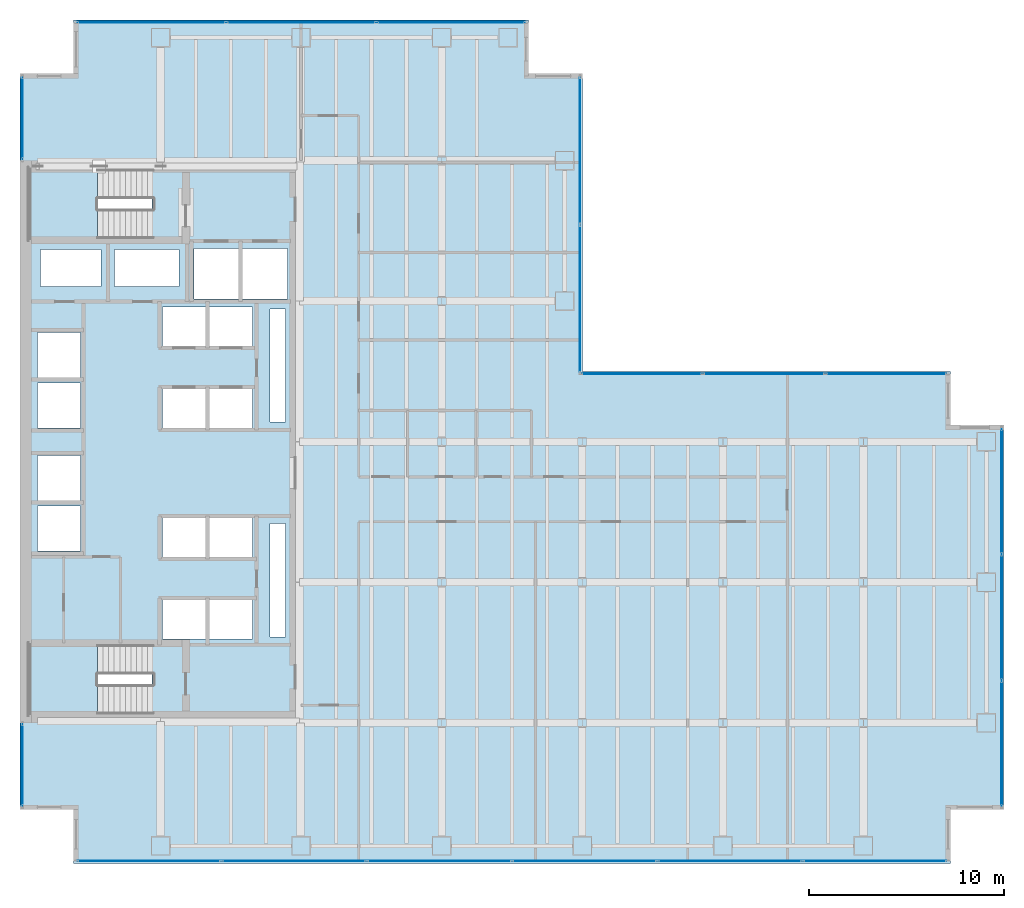
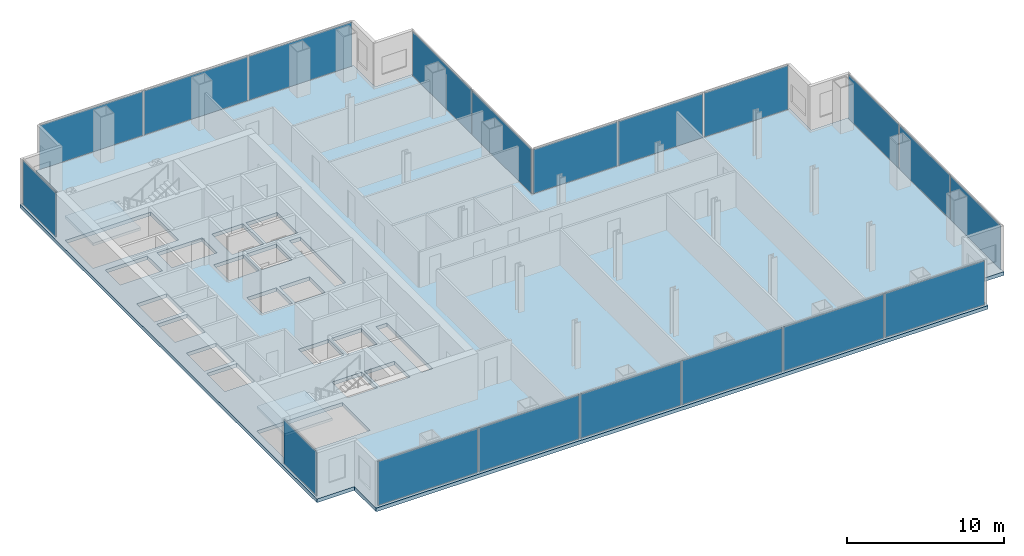
# One storey, part 19 of 23: 19 plates, 3 slabs, 20 openings, 9 elements without a shape of their own.
"""IFC4 building model written with IfcOpenShell, lengths in metres."""

from ifc_helpers import new_model, si_unit, direction, frame, origin, origin_2d, place, context, subcontext, project, spatial, polyline, rectangle, outline, extrude, material, layer, layer_set, type_object, element, aggregate, save


model = new_model("IFC4")

# Units and contexts
model_context = context("Model", 3, precision=1e-05, world=origin(), true_north=direction((0.0, 1.0)))
body_context = subcontext(model_context, "Body", "Model", "MODEL_VIEW")
ifc_project = project(units=[si_unit("LENGTHUNIT", "METRE"), si_unit("AREAUNIT", "SQUARE_METRE"), si_unit("VOLUMEUNIT", "CUBIC_METRE"), si_unit("PLANEANGLEUNIT", "RADIAN"), si_unit("MASSUNIT", "GRAM", prefix="KILO")], contexts=[model_context])

# Site, building, storey
site_placement = place(None, origin())
site = spatial("IfcSite", under=ifc_project, at=site_placement, CompositionType="ELEMENT")
building_placement = place(site_placement, origin())
building = spatial("IfcBuilding", under=site, at=building_placement, Name="Cobrela Telecom Tower", CompositionType="ELEMENT")
storey_placement = place(building_placement, frame((0.0, 0.0, 73.5)))
storey = spatial("IfcBuildingStorey", under=building, at=storey_placement, Name="L18", CompositionType="ELEMENT", Elevation=73.5)

# Curtain wall, plate
ifc_material_1 = material(Name="Anodized Bronze Aluminium 6063-T6", Category="aluminium")
curtain_wall_type = type_object("IfcCurtainWallType", Name="CW-SYS-DATA", PredefinedType="USERDEFINED", material=ifc_material_1)
curtain_wall_1_placement = place(storey_placement, origin())
curtain_wall_1 = element("IfcCurtainWall", 1, at=curtain_wall_1_placement, inside=storey, type_object=curtain_wall_type, Name="L18 Unitised Bronze Curtain Wall 03", ObjectType="UNITISED CURTAIN WALL", PredefinedType="USERDEFINED")
ifc_material_2 = material(Name="Solar-Control Bronze Low-E Glass", Category="glass")
ifc_layer_1 = layer(ifc_material_2, 0.0380859375)
ifc_layer_set_1 = layer_set([ifc_layer_1], Name="Solar-Control Bronze Low-E Glass")
plate_type = type_object("IfcPlateType", Name="CW-SYS-DATA-PNL", PredefinedType="CURTAIN_PANEL", material=ifc_layer_set_1)
plate_1_placement = place(storey_placement, frame((0.1201171875, 5.034912109375, 0.074951171875), z_axis=(0.0, 0.0, 1.0), x_axis=(0.0, 1.0, 0.0)))
plate_1 = element("IfcPlate", 2, at=plate_1_placement, type_object=plate_type, Name="CW-DATA panel 1.1", PredefinedType="CURTAIN_PANEL", context=body_context, shape_type="SweptSolid", body=[
    extrude(rectangle(XDim=4.169921875, YDim=0.0380859375, at=origin_2d()), origin(), (0.0, 0.0, 1.0), 3.419921875),
])
aggregate(curtain_wall_1, [plate_1])

curtain_wall_2_placement = place(storey_placement, origin())
curtain_wall_2 = element("IfcCurtainWall", 3, at=curtain_wall_2_placement, inside=storey, type_object=curtain_wall_type, Name="L18 Unitised Bronze Curtain Wall 04", ObjectType="UNITISED CURTAIN WALL", PredefinedType="USERDEFINED")
plate_2_placement = place(storey_placement, frame((0.1201171875, 38.1650390625, 0.074951171875), z_axis=(0.0, 0.0, 1.0), x_axis=(0.0, 1.0, 0.0)))
plate_2 = element("IfcPlate", 4, at=plate_2_placement, type_object=plate_type, Name="CW-DATA panel 1.1", PredefinedType="CURTAIN_PANEL", context=body_context, shape_type="SweptSolid", body=[
    extrude(rectangle(XDim=4.169921875, YDim=0.0380859375, at=origin_2d()), origin(), (0.0, 0.0, 1.0), 3.419921875),
])
aggregate(curtain_wall_2, [plate_2])

# Curtain wall, plates
curtain_wall_3_placement = place(storey_placement, origin())
curtain_wall_3 = element("IfcCurtainWall", 5, at=curtain_wall_3_placement, inside=storey, type_object=curtain_wall_type, Name="L18 Unitised Bronze Curtain Wall 07", ObjectType="UNITISED CURTAIN WALL", PredefinedType="USERDEFINED")
plate_3_placement = place(storey_placement, frame((6.7333984375, 43.080078125, 0.074951171875), z_axis=(0.0, 0.0, 1.0), x_axis=(1.0, 0.0, 0.0)))
plate_3 = element("IfcPlate", 6, at=plate_3_placement, type_object=plate_type, Name="CW-DATA panel 1.1", PredefinedType="CURTAIN_PANEL", context=body_context, shape_type="SweptSolid", body=[
    extrude(rectangle(XDim=7.566650390625, YDim=0.0380859375, at=origin_2d()), origin(), (0.0, 0.0, 1.0), 3.419921875),
])
plate_4_placement = place(storey_placement, frame((14.39990234375, 43.080078125, 0.074951171875), z_axis=(0.0, 0.0, 1.0), x_axis=(1.0, 0.0, 0.0)))
plate_4 = element("IfcPlate", 7, at=plate_4_placement, type_object=plate_type, Name="CW-DATA panel 2.1", PredefinedType="CURTAIN_PANEL", context=body_context, shape_type="SweptSolid", body=[
    extrude(rectangle(XDim=7.606689453125, YDim=0.0380859375, at=origin_2d()), origin(), (0.0, 0.0, 1.0), 3.419921875),
])
plate_5_placement = place(storey_placement, frame((22.066650390625, 43.080078125, 0.074951171875), z_axis=(0.0, 0.0, 1.0), x_axis=(1.0, 0.0, 0.0)))
plate_5 = element("IfcPlate", 8, at=plate_5_placement, type_object=plate_type, Name="CW-DATA panel 3.1", PredefinedType="CURTAIN_PANEL", context=body_context, shape_type="SweptSolid", body=[
    extrude(rectangle(XDim=7.566650390625, YDim=0.0380859375, at=origin_2d()), origin(), (0.0, 0.0, 1.0), 3.419921875),
])
aggregate(curtain_wall_3, [plate_3, plate_4, plate_5])

curtain_wall_4_placement = place(storey_placement, origin())
curtain_wall_4 = element("IfcCurtainWall", 9, at=curtain_wall_4_placement, inside=storey, type_object=curtain_wall_type, Name="L18 Unitised Bronze Curtain Wall 10", ObjectType="UNITISED CURTAIN WALL", PredefinedType="USERDEFINED")
plate_6_placement = place(storey_placement, frame((28.679931640625, 36.49755859375, 0.074951171875), z_axis=(0.0, 0.0, 1.0), x_axis=(0.0, -1.0, 0.0)))
plate_6 = element("IfcPlate", 10, at=plate_6_placement, type_object=plate_type, Name="CW-DATA panel 1.1", PredefinedType="CURTAIN_PANEL", context=body_context, shape_type="SweptSolid", body=[
    extrude(rectangle(XDim=7.5048828125, YDim=0.0380859375, at=origin_2d()), origin(), (0.0, 0.0, 1.0), 3.419921875),
])
plate_7_placement = place(storey_placement, frame((28.679931640625, 28.91259765625, 0.074951171875), z_axis=(0.0, 0.0, 1.0), x_axis=(0.0, -1.0, 0.0)))
plate_7 = element("IfcPlate", 11, at=plate_7_placement, type_object=plate_type, Name="CW-DATA panel 2.1", PredefinedType="CURTAIN_PANEL", context=body_context, shape_type="SweptSolid", body=[
    extrude(rectangle(XDim=7.5048828125, YDim=0.0380859375, at=origin_2d()), origin(), (0.0, 0.0, 1.0), 3.419921875),
])
aggregate(curtain_wall_4, [plate_6, plate_7])

curtain_wall_5_placement = place(storey_placement, origin())
curtain_wall_5 = element("IfcCurtainWall", 12, at=curtain_wall_5_placement, inside=storey, type_object=curtain_wall_type, Name="L18 Unitised Bronze Curtain Wall 11", ObjectType="UNITISED CURTAIN WALL", PredefinedType="USERDEFINED")
plate_8_placement = place(storey_placement, frame((31.841552734375, 25.080078125, 0.074951171875), z_axis=(0.0, 0.0, 1.0), x_axis=(1.0, 0.0, 0.0)))
plate_8 = element("IfcPlate", 13, at=plate_8_placement, type_object=plate_type, Name="CW-DATA panel 1.1", PredefinedType="CURTAIN_PANEL", context=body_context, shape_type="SweptSolid", body=[
    extrude(rectangle(XDim=6.163330078125, YDim=0.0380859375, at=origin_2d()), origin(), (0.0, 0.0, 1.0), 3.419921875),
])
plate_9_placement = place(storey_placement, frame((38.10498046875, 25.080078125, 0.074951171875), z_axis=(0.0, 0.0, 1.0), x_axis=(1.0, 0.0, 0.0)))
plate_9 = element("IfcPlate", 14, at=plate_9_placement, type_object=plate_type, Name="CW-DATA panel 2.1", PredefinedType="CURTAIN_PANEL", context=body_context, shape_type="SweptSolid", body=[
    extrude(rectangle(XDim=6.203369140625, YDim=0.0380859375, at=origin_2d()), origin(), (0.0, 0.0, 1.0), 3.419921875),
])
plate_10_placement = place(storey_placement, frame((44.368408203125, 25.080078125, 0.074951171875), z_axis=(0.0, 0.0, 1.0), x_axis=(1.0, 0.0, 0.0)))
plate_10 = element("IfcPlate", 15, at=plate_10_placement, type_object=plate_type, Name="CW-DATA panel 3.1", PredefinedType="CURTAIN_PANEL", context=body_context, shape_type="SweptSolid", body=[
    extrude(rectangle(XDim=6.163330078125, YDim=0.0380859375, at=origin_2d()), origin(), (0.0, 0.0, 1.0), 3.419921875),
])
aggregate(curtain_wall_5, [plate_8, plate_9, plate_10])

curtain_wall_6_placement = place(storey_placement, origin())
curtain_wall_6 = element("IfcCurtainWall", 16, at=curtain_wall_6_placement, inside=storey, type_object=curtain_wall_type, Name="L18 Unitised Bronze Curtain Wall 14", ObjectType="UNITISED CURTAIN WALL", PredefinedType="USERDEFINED")
plate_11_placement = place(storey_placement, frame((50.280029296875, 19.066650390625, 0.074951171875), z_axis=(0.0, 0.0, 1.0), x_axis=(0.0, -1.0, 0.0)))
plate_11 = element("IfcPlate", 17, at=plate_11_placement, type_object=plate_type, Name="CW-DATA panel 1.1", PredefinedType="CURTAIN_PANEL", context=body_context, shape_type="SweptSolid", body=[
    extrude(rectangle(XDim=6.36669921875, YDim=0.0380859375, at=origin_2d()), origin(), (0.0, 0.0, 1.0), 3.419921875),
])
plate_12_placement = place(storey_placement, frame((50.280029296875, 12.60009765625, 0.074951171875), z_axis=(0.0, 0.0, 1.0), x_axis=(0.0, -1.0, 0.0)))
plate_12 = element("IfcPlate", 18, at=plate_12_placement, type_object=plate_type, Name="CW-DATA panel 2.1", PredefinedType="CURTAIN_PANEL", context=body_context, shape_type="SweptSolid", body=[
    extrude(rectangle(XDim=6.40673828125, YDim=0.0380859375, at=origin_2d()), origin(), (0.0, 0.0, 1.0), 3.419921875),
])
plate_13_placement = place(storey_placement, frame((50.280029296875, 6.13330078125, 0.074951171875), z_axis=(0.0, 0.0, 1.0), x_axis=(0.0, -1.0, 0.0)))
plate_13 = element("IfcPlate", 19, at=plate_13_placement, type_object=plate_type, Name="CW-DATA panel 3.1", PredefinedType="CURTAIN_PANEL", context=body_context, shape_type="SweptSolid", body=[
    extrude(rectangle(XDim=6.36669921875, YDim=0.0380859375, at=origin_2d()), origin(), (0.0, 0.0, 1.0), 3.419921875),
])
aggregate(curtain_wall_6, [plate_11, plate_12, plate_13])

curtain_wall_7_placement = place(storey_placement, origin())
curtain_wall_7 = element("IfcCurtainWall", 20, at=curtain_wall_7_placement, inside=storey, type_object=curtain_wall_type, Name="L18 Unitised Bronze Curtain Wall 17", ObjectType="UNITISED CURTAIN WALL", PredefinedType="USERDEFINED")
plate_14_placement = place(storey_placement, frame((43.788330078125, 0.1201171875, 0.074951171875), z_axis=(0.0, 0.0, 1.0), x_axis=(-1.0, 0.0, 0.0)))
plate_14 = element("IfcPlate", 21, at=plate_14_placement, type_object=plate_type, Name="CW-DATA panel 1.1", PredefinedType="CURTAIN_PANEL", context=body_context, shape_type="SweptSolid", body=[
    extrude(rectangle(XDim=7.3232421875, YDim=0.0380859375, at=origin_2d()), origin(), (0.0, 0.0, 1.0), 3.419921875),
])
plate_15_placement = place(storey_placement, frame((36.364990234375, 0.1201171875, 0.074951171875), z_axis=(0.0, 0.0, 1.0), x_axis=(-1.0, 0.0, 0.0)))
plate_15 = element("IfcPlate", 22, at=plate_15_placement, type_object=plate_type, Name="CW-DATA panel 2.1", PredefinedType="CURTAIN_PANEL", context=body_context, shape_type="SweptSolid", body=[
    extrude(rectangle(XDim=7.36328125, YDim=0.0380859375, at=origin_2d()), origin(), (0.0, 0.0, 1.0), 3.419921875),
])
plate_16_placement = place(storey_placement, frame((28.921630859375, 0.1201171875, 0.074951171875), z_axis=(0.0, 0.0, 1.0), x_axis=(-1.0, 0.0, 0.0)))
plate_16 = element("IfcPlate", 23, at=plate_16_placement, type_object=plate_type, Name="CW-DATA panel 3.1", PredefinedType="CURTAIN_PANEL", context=body_context, shape_type="SweptSolid", body=[
    extrude(rectangle(XDim=7.36328125, YDim=0.0380859375, at=origin_2d()), origin(), (0.0, 0.0, 1.0), 3.419921875),
])
plate_17_placement = place(storey_placement, frame((21.478271484375, 0.1201171875, 0.074951171875), z_axis=(0.0, 0.0, 1.0), x_axis=(-1.0, 0.0, 0.0)))
plate_17 = element("IfcPlate", 24, at=plate_17_placement, type_object=plate_type, Name="CW-DATA panel 4.1", PredefinedType="CURTAIN_PANEL", context=body_context, shape_type="SweptSolid", body=[
    extrude(rectangle(XDim=7.36328125, YDim=0.0380859375, at=origin_2d()), origin(), (0.0, 0.0, 1.0), 3.419921875),
])
plate_18_placement = place(storey_placement, frame((14.034912109375, 0.1201171875, 0.074951171875), z_axis=(0.0, 0.0, 1.0), x_axis=(-1.0, 0.0, 0.0)))
plate_18 = element("IfcPlate", 25, at=plate_18_placement, type_object=plate_type, Name="CW-DATA panel 5.1", PredefinedType="CURTAIN_PANEL", context=body_context, shape_type="SweptSolid", body=[
    extrude(rectangle(XDim=7.36328125, YDim=0.0380859375, at=origin_2d()), origin(), (0.0, 0.0, 1.0), 3.419921875),
])
plate_19_placement = place(storey_placement, frame((6.611572265625, 0.1201171875, 0.074951171875), z_axis=(0.0, 0.0, 1.0), x_axis=(-1.0, 0.0, 0.0)))
plate_19 = element("IfcPlate", 26, at=plate_19_placement, type_object=plate_type, Name="CW-DATA panel 6.1", PredefinedType="CURTAIN_PANEL", context=body_context, shape_type="SweptSolid", body=[
    extrude(rectangle(XDim=7.3232421875, YDim=0.0380859375, at=origin_2d()), origin(), (0.0, 0.0, 1.0), 3.419921875),
])
aggregate(curtain_wall_7, [plate_14, plate_15, plate_16, plate_17, plate_18, plate_19])

# Slab, openings
ifc_material_3 = material(Name="Concrete C40/50", Category="concrete")
ifc_layer_2 = layer(ifc_material_3, 0.280029296875)
ifc_layer_set_2 = layer_set([ifc_layer_2], Name="Concrete C40/50")
slab_type_1 = type_object("IfcSlabType", Name="SLAB-FLR-280", PredefinedType="FLOOR", material=ifc_layer_set_2)
slab_1_placement = place(storey_placement, frame((0.0, 0.0, -0.280029296875)))
slab_1 = element("IfcSlab", 27, at=slab_1_placement, inside=storey, type_object=slab_type_1, Name="L18 Structural Floor Slab", PredefinedType="FLOOR", context=body_context, shape_type="SweptSolid", body=[
    extrude(outline(polyline([(2.75, 0.0), (47.64990234375, 0.0), (47.64990234375, 2.75), (50.39990234375, 2.75), (50.39990234375, 22.449951171875), (47.64990234375, 22.449951171875), (47.64990234375, 25.199951171875), (28.800048828125, 25.199951171875), (28.800048828125, 40.449951171875), (26.050048828125, 40.449951171875), (26.050048828125, 43.199951171875), (2.75, 43.199951171875), (2.75, 40.449951171875), (0.0, 40.449951171875), (0.0, 2.75), (2.75, 2.75), (2.75, 0.0)])), origin(), (0.0, 0.0, 1.0), 0.280029296875),
])
opening_1_placement = place(slab_1_placement, frame((0.0, 0.0, -0.02001953125)))
element("IfcOpeningElement", 28, at=opening_1_placement, cuts=slab_1, Name="Slab Shaft Opening SLAB-L18-MAIN.1", PredefinedType="OPENING", context=body_context, shape_type="SweptSolid", body=[
    extrude(outline(polyline([(8.89990234375, 28.89990234375), (11.199951171875, 28.89990234375), (11.199951171875, 31.5), (8.89990234375, 31.5), (8.89990234375, 28.89990234375)])), origin(), (0.0, 0.0, 1.0), 0.320068359375),
])
opening_2_placement = place(slab_1_placement, frame((0.0, 0.0, -0.02001953125)))
element("IfcOpeningElement", 29, at=opening_2_placement, cuts=slab_1, Name="Slab Shaft Opening SLAB-L18-MAIN.2", PredefinedType="OPENING", context=body_context, shape_type="SweptSolid", body=[
    extrude(outline(polyline([(11.39990234375, 28.89990234375), (13.699951171875, 28.89990234375), (13.699951171875, 31.5), (11.39990234375, 31.5), (11.39990234375, 28.89990234375)])), origin(), (0.0, 0.0, 1.0), 0.320068359375),
])
opening_3_placement = place(slab_1_placement, frame((0.0, 0.0, -0.02001953125)))
element("IfcOpeningElement", 30, at=opening_3_placement, cuts=slab_1, Name="Slab Shaft Opening SLAB-L18-MAIN.3", PredefinedType="OPENING", context=body_context, shape_type="SweptSolid", body=[
    extrude(outline(polyline([(7.300048828125, 22.300048828125), (9.5, 22.300048828125), (9.5, 24.300048828125), (7.300048828125, 24.300048828125), (7.300048828125, 22.300048828125)])), origin(), (0.0, 0.0, 1.0), 0.320068359375),
])
opening_4_placement = place(slab_1_placement, frame((0.0, 0.0, -0.02001953125)))
element("IfcOpeningElement", 31, at=opening_4_placement, cuts=slab_1, Name="Slab Shaft Opening SLAB-L18-MAIN.4", PredefinedType="OPENING", context=body_context, shape_type="SweptSolid", body=[
    extrude(outline(polyline([(9.699951171875, 22.300048828125), (11.89990234375, 22.300048828125), (11.89990234375, 24.300048828125), (9.699951171875, 24.300048828125), (9.699951171875, 22.300048828125)])), origin(), (0.0, 0.0, 1.0), 0.320068359375),
])
opening_5_placement = place(slab_1_placement, frame((0.0, 0.0, -0.02001953125)))
element("IfcOpeningElement", 32, at=opening_5_placement, cuts=slab_1, Name="Slab Shaft Opening SLAB-L18-MAIN.5", PredefinedType="OPENING", context=body_context, shape_type="SweptSolid", body=[
    extrude(outline(polyline([(7.300048828125, 26.5), (9.5, 26.5), (9.5, 28.5), (7.300048828125, 28.5), (7.300048828125, 26.5)])), origin(), (0.0, 0.0, 1.0), 0.320068359375),
])
opening_6_placement = place(slab_1_placement, frame((0.0, 0.0, -0.02001953125)))
element("IfcOpeningElement", 33, at=opening_6_placement, cuts=slab_1, Name="Slab Shaft Opening SLAB-L18-MAIN.6", PredefinedType="OPENING", context=body_context, shape_type="SweptSolid", body=[
    extrude(outline(polyline([(9.699951171875, 26.5), (11.89990234375, 26.5), (11.89990234375, 28.5), (9.699951171875, 28.5), (9.699951171875, 26.5)])), origin(), (0.0, 0.0, 1.0), 0.320068359375),
])
opening_7_placement = place(slab_1_placement, frame((0.0, 0.0, -0.02001953125)))
element("IfcOpeningElement", 34, at=opening_7_placement, cuts=slab_1, Name="Slab Shaft Opening SLAB-L18-MAIN.7", PredefinedType="OPENING", context=body_context, shape_type="SweptSolid", body=[
    extrude(outline(polyline([(7.300048828125, 15.699951171875), (9.5, 15.699951171875), (9.5, 17.699951171875), (7.300048828125, 17.699951171875), (7.300048828125, 15.699951171875)])), origin(), (0.0, 0.0, 1.0), 0.320068359375),
])
opening_8_placement = place(slab_1_placement, frame((0.0, 0.0, -0.02001953125)))
element("IfcOpeningElement", 35, at=opening_8_placement, cuts=slab_1, Name="Slab Shaft Opening SLAB-L18-MAIN.8", PredefinedType="OPENING", context=body_context, shape_type="SweptSolid", body=[
    extrude(outline(polyline([(9.699951171875, 15.699951171875), (11.89990234375, 15.699951171875), (11.89990234375, 17.699951171875), (9.699951171875, 17.699951171875), (9.699951171875, 15.699951171875)])), origin(), (0.0, 0.0, 1.0), 0.320068359375),
])
opening_9_placement = place(slab_1_placement, frame((0.0, 0.0, -0.02001953125)))
element("IfcOpeningElement", 36, at=opening_9_placement, cuts=slab_1, Name="Slab Shaft Opening SLAB-L18-MAIN.9", PredefinedType="OPENING", context=body_context, shape_type="SweptSolid", body=[
    extrude(outline(polyline([(7.300048828125, 11.5), (9.5, 11.5), (9.5, 13.5), (7.300048828125, 13.5), (7.300048828125, 11.5)])), origin(), (0.0, 0.0, 1.0), 0.320068359375),
])
opening_10_placement = place(slab_1_placement, frame((0.0, 0.0, -0.02001953125)))
element("IfcOpeningElement", 37, at=opening_10_placement, cuts=slab_1, Name="Slab Shaft Opening SLAB-L18-MAIN.10", PredefinedType="OPENING", context=body_context, shape_type="SweptSolid", body=[
    extrude(outline(polyline([(9.699951171875, 11.5), (11.89990234375, 11.5), (11.89990234375, 13.5), (9.699951171875, 13.5), (9.699951171875, 11.5)])), origin(), (0.0, 0.0, 1.0), 0.320068359375),
])
opening_11_placement = place(slab_1_placement, frame((0.0, 0.0, -0.02001953125)))
element("IfcOpeningElement", 38, at=opening_11_placement, cuts=slab_1, Name="Slab Shaft Opening SLAB-L18-MAIN.11", PredefinedType="OPENING", context=body_context, shape_type="SweptSolid", body=[
    extrude(outline(polyline([(0.89990234375, 16.0), (3.10009765625, 16.0), (3.10009765625, 18.300048828125), (0.89990234375, 18.300048828125), (0.89990234375, 16.0)])), origin(), (0.0, 0.0, 1.0), 0.320068359375),
])
opening_12_placement = place(slab_1_placement, frame((0.0, 0.0, -0.02001953125)))
element("IfcOpeningElement", 39, at=opening_12_placement, cuts=slab_1, Name="Slab Shaft Opening SLAB-L18-MAIN.12", PredefinedType="OPENING", context=body_context, shape_type="SweptSolid", body=[
    extrude(outline(polyline([(0.89990234375, 18.60009765625), (3.10009765625, 18.60009765625), (3.10009765625, 20.89990234375), (0.89990234375, 20.89990234375), (0.89990234375, 18.60009765625)])), origin(), (0.0, 0.0, 1.0), 0.320068359375),
])
opening_13_placement = place(slab_1_placement, frame((0.0, 0.0, -0.02001953125)))
element("IfcOpeningElement", 40, at=opening_13_placement, cuts=slab_1, Name="Slab Shaft Opening SLAB-L18-MAIN.13", PredefinedType="OPENING", context=body_context, shape_type="SweptSolid", body=[
    extrude(outline(polyline([(0.89990234375, 22.300048828125), (3.10009765625, 22.300048828125), (3.10009765625, 24.60009765625), (0.89990234375, 24.60009765625), (0.89990234375, 22.300048828125)])), origin(), (0.0, 0.0, 1.0), 0.320068359375),
])
opening_14_placement = place(slab_1_placement, frame((0.0, 0.0, -0.02001953125)))
element("IfcOpeningElement", 41, at=opening_14_placement, cuts=slab_1, Name="Slab Shaft Opening SLAB-L18-MAIN.14", PredefinedType="OPENING", context=body_context, shape_type="SweptSolid", body=[
    extrude(outline(polyline([(0.89990234375, 24.89990234375), (3.10009765625, 24.89990234375), (3.10009765625, 27.199951171875), (0.89990234375, 27.199951171875), (0.89990234375, 24.89990234375)])), origin(), (0.0, 0.0, 1.0), 0.320068359375),
])
opening_15_placement = place(slab_1_placement, frame((0.0, 0.0, -0.02001953125)))
element("IfcOpeningElement", 42, at=opening_15_placement, cuts=slab_1, Name="Slab Shaft Opening SLAB-L18-MAIN.15", PredefinedType="OPENING", context=body_context, shape_type="SweptSolid", body=[
    extrude(outline(polyline([(1.050048828125, 29.550048828125), (4.14990234375, 29.550048828125), (4.14990234375, 31.449951171875), (1.050048828125, 31.449951171875), (1.050048828125, 29.550048828125)])), origin(), (0.0, 0.0, 1.0), 0.320068359375),
])
opening_16_placement = place(slab_1_placement, frame((0.0, 0.0, -0.02001953125)))
element("IfcOpeningElement", 43, at=opening_16_placement, cuts=slab_1, Name="Slab Shaft Opening SLAB-L18-MAIN.16", PredefinedType="OPENING", context=body_context, shape_type="SweptSolid", body=[
    extrude(outline(polyline([(4.85009765625, 29.550048828125), (8.14990234375, 29.550048828125), (8.14990234375, 31.449951171875), (4.85009765625, 31.449951171875), (4.85009765625, 29.550048828125)])), origin(), (0.0, 0.0, 1.0), 0.320068359375),
])
opening_17_placement = place(slab_1_placement, frame((0.0, 0.0, -0.02001953125)))
element("IfcOpeningElement", 44, at=opening_17_placement, cuts=slab_1, Name="Slab Shaft Opening SLAB-L18-MAIN.17", PredefinedType="OPENING", context=body_context, shape_type="SweptSolid", body=[
    extrude(outline(polyline([(12.800048828125, 22.60009765625), (13.60009765625, 22.60009765625), (13.60009765625, 28.39990234375), (12.800048828125, 28.39990234375), (12.800048828125, 22.60009765625)])), origin(), (0.0, 0.0, 1.0), 0.320068359375),
])
opening_18_placement = place(slab_1_placement, frame((0.0, 0.0, -0.02001953125)))
element("IfcOpeningElement", 45, at=opening_18_placement, cuts=slab_1, Name="Slab Shaft Opening SLAB-L18-MAIN.18", PredefinedType="OPENING", context=body_context, shape_type="SweptSolid", body=[
    extrude(outline(polyline([(12.800048828125, 11.60009765625), (13.60009765625, 11.60009765625), (13.60009765625, 17.39990234375), (12.800048828125, 17.39990234375), (12.800048828125, 11.60009765625)])), origin(), (0.0, 0.0, 1.0), 0.320068359375),
])
opening_19_placement = place(slab_1_placement, frame((0.0, 0.0, -0.02001953125)))
element("IfcOpeningElement", 46, at=opening_19_placement, cuts=slab_1, Name="Slab Shaft Opening SLAB-L18-MAIN.19", PredefinedType="OPENING", context=body_context, shape_type="SweptSolid", body=[
    extrude(outline(polyline([(6.7548828125, 35.550048828125), (0.47998046875, 35.550048828125), (0.47998046875, 32.0), (6.7548828125, 32.0), (6.7548828125, 35.550048828125)])), origin(), (0.0, 0.0, 1.0), 0.320068359375),
])
opening_20_placement = place(slab_1_placement, frame((0.0, 0.0, -0.02001953125)))
element("IfcOpeningElement", 47, at=opening_20_placement, cuts=slab_1, Name="Slab Shaft Opening SLAB-L18-MAIN.20", PredefinedType="OPENING", context=body_context, shape_type="SweptSolid", body=[
    extrude(outline(polyline([(6.7548828125, 11.199951171875), (0.47998046875, 11.199951171875), (0.47998046875, 7.64990234375), (6.7548828125, 7.64990234375), (6.7548828125, 11.199951171875)])), origin(), (0.0, 0.0, 1.0), 0.320068359375),
])

# Stair, slab
stair_type = type_object("IfcStairType", Name="STAIR-CORE", PredefinedType="HALF_TURN_STAIR", material=ifc_material_3)
stair_1_placement = place(storey_placement, origin())
stair_1 = element("IfcStair", 48, at=stair_1_placement, inside=storey, type_object=stair_type, Name="L18 Smokeproof Exit Stair ST1", PredefinedType="HALF_TURN_STAIR")
ifc_layer_3 = layer(ifc_material_3, 0.199951171875)
ifc_layer_set_3 = layer_set([ifc_layer_3], Name="Concrete C40/50")
slab_type_2 = type_object("IfcSlabType", Name="SLAB-LAND-200", PredefinedType="LANDING", material=ifc_layer_set_3)
slab_2_placement = place(storey_placement, frame((0.0, 0.0, 1.72509765625)))
slab_2 = element("IfcSlab", 49, at=slab_2_placement, type_object=slab_type_2, Name="ST1 landing 1", PredefinedType="LANDING", context=body_context, shape_type="SweptSolid", body=[
    extrude(outline(polyline([(3.969970703125, 35.550048828125), (0.47998046875, 35.550048828125), (0.47998046875, 32.0), (3.969970703125, 32.0), (3.969970703125, 35.550048828125)])), origin(), (0.0, 0.0, 1.0), 0.199951171875),
])
aggregate(stair_1, [slab_2])

stair_2_placement = place(storey_placement, origin())
stair_2 = element("IfcStair", 50, at=stair_2_placement, inside=storey, type_object=stair_type, Name="L18 Smokeproof Exit Stair ST2", PredefinedType="HALF_TURN_STAIR")
slab_3_placement = place(storey_placement, frame((0.0, 0.0, 1.72509765625)))
slab_3 = element("IfcSlab", 51, at=slab_3_placement, type_object=slab_type_2, Name="ST2 landing 1", PredefinedType="LANDING", context=body_context, shape_type="SweptSolid", body=[
    extrude(outline(polyline([(3.969970703125, 11.199951171875), (0.47998046875, 11.199951171875), (0.47998046875, 7.64990234375), (3.969970703125, 7.64990234375), (3.969970703125, 11.199951171875)])), origin(), (0.0, 0.0, 1.0), 0.199951171875),
])
aggregate(stair_2, [slab_3])

save(model, "model.ifc")
